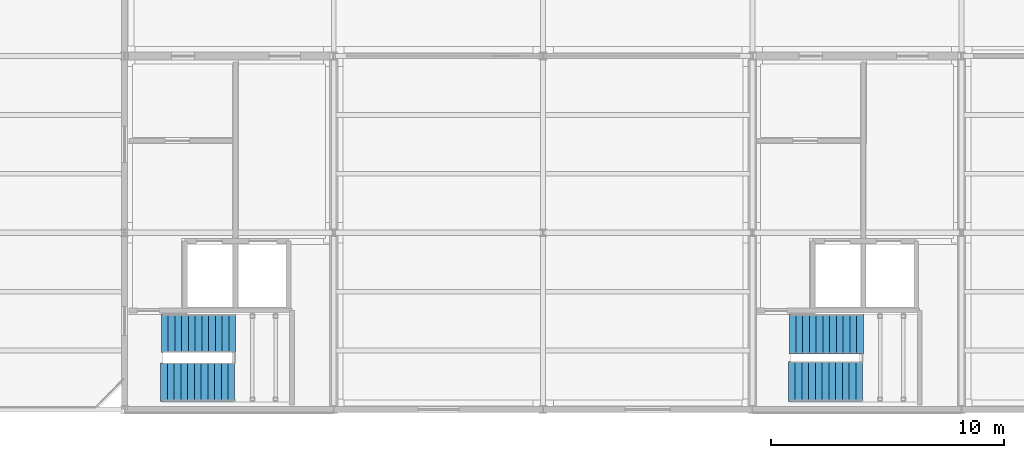
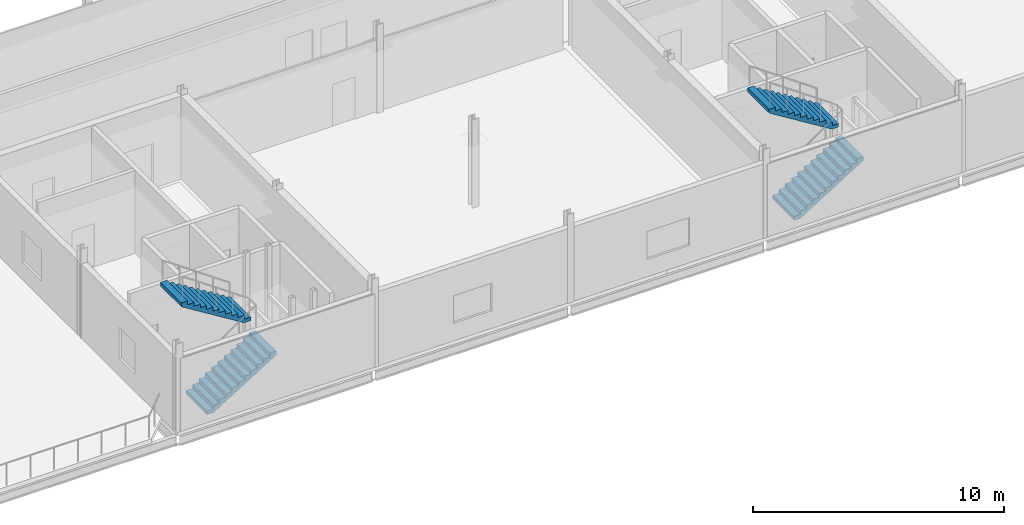
# One storey, part 45 of 48: 4 stair flights, 2 elements without a shape of their own.
"""IFC4 building model written with IfcOpenShell, lengths in metres."""

from ifc_helpers import new_model, si_unit, direction, frame, origin, place, context, subcontext, project, spatial, polyline, outline, extrude, material, type_object, element, aggregate, save


model = new_model("IFC4")

# Units and contexts
model_context = context("Model", 3, precision=1e-05, world=origin(), true_north=direction((0.0, 1.0)))
body_context = subcontext(model_context, "Body", "Model", "MODEL_VIEW")
ifc_project = project(units=[si_unit("LENGTHUNIT", "METRE"), si_unit("AREAUNIT", "SQUARE_METRE"), si_unit("VOLUMEUNIT", "CUBIC_METRE"), si_unit("PLANEANGLEUNIT", "RADIAN"), si_unit("MASSUNIT", "GRAM", prefix="KILO")], contexts=[model_context])

# Site, building, storey
site_placement = place(None, origin())
site = spatial("IfcSite", under=ifc_project, at=site_placement, CompositionType="ELEMENT")
building_placement = place(site_placement, origin())
building = spatial("IfcBuilding", under=site, at=building_placement, Name="Caisbarro Railhouse Central Library", CompositionType="ELEMENT")
storey_placement = place(building_placement, frame((0.0, 0.0, 18.0)))
storey = spatial("IfcBuildingStorey", under=building, at=storey_placement, Name="L04", CompositionType="ELEMENT", Elevation=18.0)

# Stair, stair flights
ifc_material = material(Name="Concrete C35", Category="concrete")
stair_type_1 = type_object("IfcStairType", Name="STR-ST43A", PredefinedType="HALF_TURN_STAIR", material=ifc_material)
stair_1_placement = place(storey_placement, origin())
stair_1 = element("IfcStair", 1, at=stair_1_placement, inside=storey, type_object=stair_type_1, Name="Protected Stair ST-01 (L04)", PredefinedType="HALF_TURN_STAIR")
stair_flight_type_1 = type_object("IfcStairFlightType", Name="STF-ST43A", PredefinedType="STRAIGHT", material=ifc_material)
stair_flight_1_placement = place(storey_placement, frame((64.550048828125, 1.169921875, 0.0), z_axis=(0.0, 0.0, 1.0), x_axis=(1.0, 0.0, 0.0)))
stair_flight_1 = element("IfcStairFlight", 2, at=stair_flight_1_placement, type_object=stair_flight_type_1, Name="ST-01 flight 1", NumberOfRisers=12, NumberOfTreads=11, PredefinedType="STRAIGHT", RiserHeight=0.18, TreadLength=0.29, context=body_context, shape_type="SweptSolid", body=[
    extrude(outline(polyline([(0.0, 0.0), (0.0, 0.179931640625), (0.2900390625, 0.179931640625), (0.2900390625, 0.360107421875), (0.580078125, 0.360107421875), (0.580078125, 0.5400390625), (0.8701171875, 0.5400390625), (0.8701171875, 0.719970703125), (1.159912109375, 0.719970703125), (1.159912109375, 0.89990234375), (1.449951171875, 0.89990234375), (1.449951171875, 1.080078125), (1.739990234375, 1.080078125), (1.739990234375, 1.260009765625), (2.030029296875, 1.260009765625), (2.030029296875, 1.43994140625), (2.320068359375, 1.43994140625), (2.320068359375, 1.6201171875), (2.610107421875, 1.6201171875), (2.610107421875, 1.800048828125), (2.89990234375, 1.800048828125), (2.89990234375, 1.97998046875), (3.18994140625, 1.97998046875), (3.18994140625, 2.159912109375), (3.18994140625, 1.791748046875), (0.30322265625, 0.0), (0.0, 0.0)])), frame((0.0, 0.830078125, 0.0), z_axis=(0.0, -1.0, 0.0), x_axis=(1.0, 0.0, 0.0)), (0.0, 0.0, 1.0), 1.659912109375),
])
stair_flight_2_placement = place(storey_placement, frame((67.780029296875, 3.280029296875, 2.159912109375), z_axis=(0.0, 0.0, 1.0), x_axis=(-1.0, 0.0, 0.0)))
stair_flight_2 = element("IfcStairFlight", 3, at=stair_flight_2_placement, type_object=stair_flight_type_1, Name="ST-01 flight 2", NumberOfRisers=12, NumberOfTreads=11, PredefinedType="STRAIGHT", RiserHeight=0.18, TreadLength=0.29, context=body_context, shape_type="SweptSolid", body=[
    extrude(outline(polyline([(0.0, 0.0), (0.0, 0.179931640625), (0.2900390625, 0.179931640625), (0.2900390625, 0.360107421875), (0.580078125, 0.360107421875), (0.580078125, 0.5400390625), (0.8701171875, 0.5400390625), (0.8701171875, 0.719970703125), (1.159912109375, 0.719970703125), (1.159912109375, 0.89990234375), (1.449951171875, 0.89990234375), (1.449951171875, 1.080078125), (1.739990234375, 1.080078125), (1.739990234375, 1.260009765625), (2.030029296875, 1.260009765625), (2.030029296875, 1.43994140625), (2.320068359375, 1.43994140625), (2.320068359375, 1.6201171875), (2.610107421875, 1.6201171875), (2.610107421875, 1.800048828125), (2.89990234375, 1.800048828125), (2.89990234375, 1.97998046875), (3.18994140625, 1.97998046875), (3.18994140625, 2.159912109375), (3.18994140625, 1.791748046875), (0.30322265625, 0.0), (0.0, 0.0)])), frame((0.0, 0.830078125, 0.0), z_axis=(0.0, -1.0, 0.0), x_axis=(1.0, 0.0, 0.0)), (0.0, 0.0, 1.0), 1.659912109375),
])
aggregate(stair_1, [stair_flight_1, stair_flight_2])

stair_type_2 = type_object("IfcStairType", Name="STR-ST43B", PredefinedType="HALF_TURN_STAIR", material=ifc_material)
stair_2_placement = place(storey_placement, origin())
stair_2 = element("IfcStair", 4, at=stair_2_placement, inside=storey, type_object=stair_type_2, Name="Protected Stair ST-02 (L04)", PredefinedType="HALF_TURN_STAIR")
stair_flight_type_2 = type_object("IfcStairFlightType", Name="STF-ST43B", PredefinedType="STRAIGHT", material=ifc_material)
stair_flight_3_placement = place(storey_placement, frame((91.550048828125, 1.199951171875, 0.0), z_axis=(0.0, 0.0, 1.0), x_axis=(1.0, 0.0, 0.0)))
stair_flight_3 = element("IfcStairFlight", 5, at=stair_flight_3_placement, type_object=stair_flight_type_2, Name="ST-02 flight 1", NumberOfRisers=12, NumberOfTreads=11, PredefinedType="STRAIGHT", RiserHeight=0.18, TreadLength=0.29, context=body_context, shape_type="SweptSolid", body=[
    extrude(outline(polyline([(0.0, 0.0), (0.0, 0.179931640625), (0.2900390625, 0.179931640625), (0.2900390625, 0.360107421875), (0.580078125, 0.360107421875), (0.580078125, 0.5400390625), (0.8701171875, 0.5400390625), (0.8701171875, 0.719970703125), (1.159912109375, 0.719970703125), (1.159912109375, 0.89990234375), (1.449951171875, 0.89990234375), (1.449951171875, 1.080078125), (1.739990234375, 1.080078125), (1.739990234375, 1.260009765625), (2.030029296875, 1.260009765625), (2.030029296875, 1.43994140625), (2.320068359375, 1.43994140625), (2.320068359375, 1.6201171875), (2.610107421875, 1.6201171875), (2.610107421875, 1.800048828125), (2.89990234375, 1.800048828125), (2.89990234375, 1.97998046875), (3.18994140625, 1.97998046875), (3.18994140625, 2.159912109375), (3.18994140625, 1.791748046875), (0.30322265625, 0.0), (0.0, 0.0)])), frame((0.0, 0.85986328125, 0.0), z_axis=(0.0, -1.0, 0.0), x_axis=(1.0, 0.0, 0.0)), (0.0, 0.0, 1.0), 1.719970703125),
])
stair_flight_4_placement = place(storey_placement, frame((94.780029296875, 3.25, 2.159912109375), z_axis=(0.0, 0.0, 1.0), x_axis=(-1.0, 0.0, 0.0)))
stair_flight_4 = element("IfcStairFlight", 6, at=stair_flight_4_placement, type_object=stair_flight_type_2, Name="ST-02 flight 2", NumberOfRisers=12, NumberOfTreads=11, PredefinedType="STRAIGHT", RiserHeight=0.18, TreadLength=0.29, context=body_context, shape_type="SweptSolid", body=[
    extrude(outline(polyline([(0.0, 0.0), (0.0, 0.179931640625), (0.2900390625, 0.179931640625), (0.2900390625, 0.360107421875), (0.580078125, 0.360107421875), (0.580078125, 0.5400390625), (0.8701171875, 0.5400390625), (0.8701171875, 0.719970703125), (1.159912109375, 0.719970703125), (1.159912109375, 0.89990234375), (1.449951171875, 0.89990234375), (1.449951171875, 1.080078125), (1.739990234375, 1.080078125), (1.739990234375, 1.260009765625), (2.030029296875, 1.260009765625), (2.030029296875, 1.43994140625), (2.320068359375, 1.43994140625), (2.320068359375, 1.6201171875), (2.610107421875, 1.6201171875), (2.610107421875, 1.800048828125), (2.89990234375, 1.800048828125), (2.89990234375, 1.97998046875), (3.18994140625, 1.97998046875), (3.18994140625, 2.159912109375), (3.18994140625, 1.791748046875), (0.30322265625, 0.0), (0.0, 0.0)])), frame((0.0, 0.85986328125, 0.0), z_axis=(0.0, -1.0, 0.0), x_axis=(1.0, 0.0, 0.0)), (0.0, 0.0, 1.0), 1.719970703125),
])
aggregate(stair_2, [stair_flight_3, stair_flight_4])

save(model, "model.ifc")
